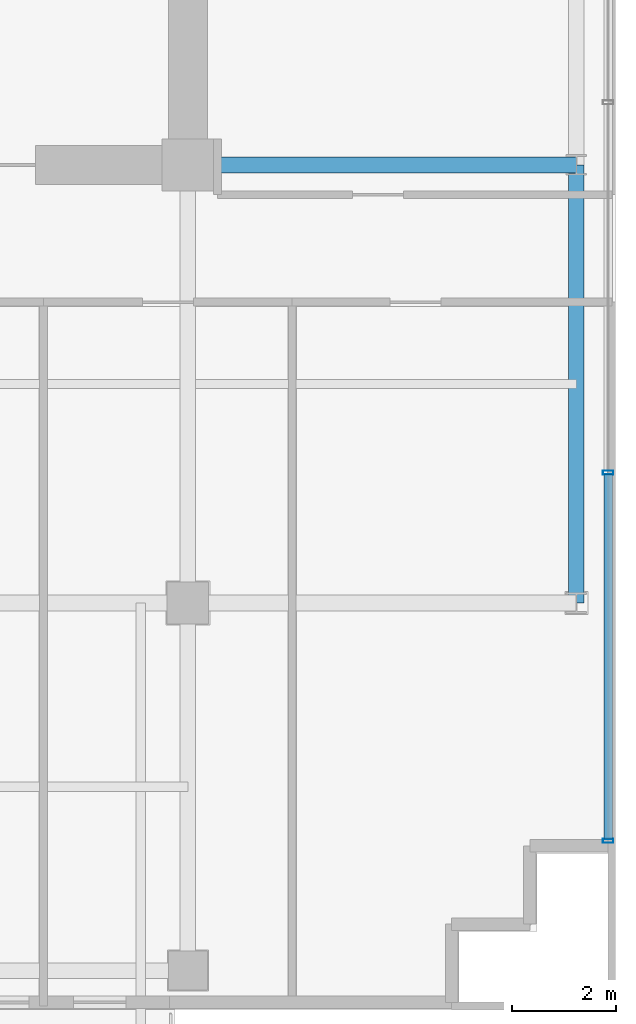
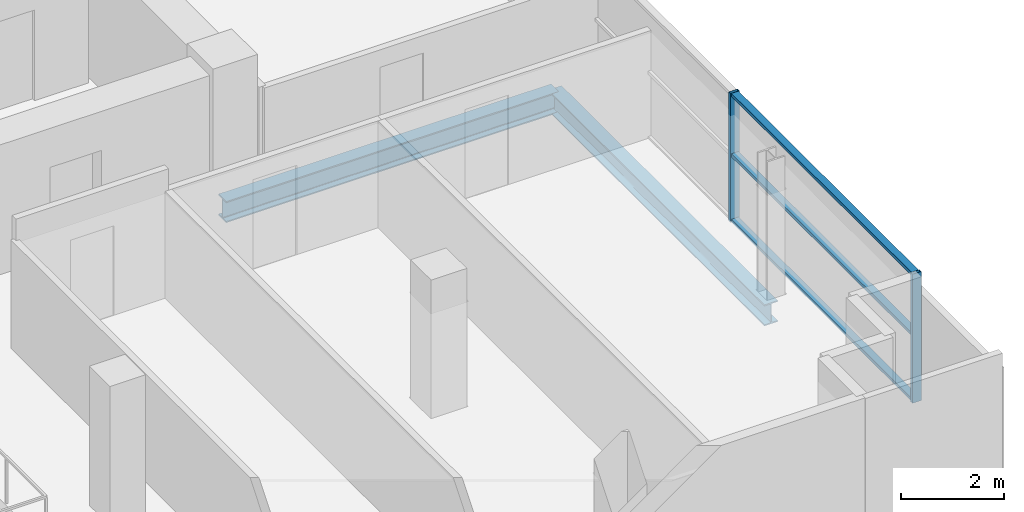
# One storey, part 6 of 21: 5 members, 2 beams, 1 element without a shape of its own.
"""IFC4 building model written with IfcOpenShell, lengths in metres."""

import ifcopenshell
import ifcopenshell.guid

model = None  # the IFC model being written
_history = None  # IfcOwnerHistory: only IFC2X3 demands one
_inside = {}  # id of a spatial element -> (the spatial element, [elements in it])
_under = {}  # id of a project, library or spatial element -> (it, [spatial elements below it])
_declared = {}  # id of a project -> (the project, [libraries it declares])
_typed = {}  # id of a type object -> (the type object, [elements of that type])
_made_of = {}  # id of a material, layer set ... -> (it, [elements and type objects made of it])


def new_model(schema):
    """Start an empty IFC model of exactly this schema.

    Asked for "IFC4X3", IfcOpenShell would pick the latest addendum, in which some entities
    have other attributes; the version numbers below select the first issue.
    IFC2X3 requires an IfcOwnerHistory on every rooted entity: one is made here for all.
    """
    global model, _history
    if schema == "IFC4X3":
        model = ifcopenshell.file(schema_version=(4, 3, 0, 0))
    else:
        model = ifcopenshell.file(schema=schema)
    _inside.clear()
    _under.clear()
    _declared.clear()
    _typed.clear()
    _made_of.clear()
    _history = None
    if model.schema == "IFC2X3":
        org = make("IfcOrganization", Name="unknown")
        user = make(
            "IfcPersonAndOrganization",
            ThePerson=make("IfcPerson", FamilyName="unknown"),
            TheOrganization=org,
        )
        app = make(
            "IfcApplication",
            ApplicationDeveloper=org,
            Version="unknown",
            ApplicationFullName="unknown",
            ApplicationIdentifier="unknown",
        )
        _history = make(
            "IfcOwnerHistory",
            OwningUser=user,
            OwningApplication=app,
            ChangeAction="ADDED",
            CreationDate=0,
        )
    return model


def make(cls, **values):
    """One entity of the class cls with the attributes given. An attribute that is None is left unset."""
    return model.create_entity(
        cls, **{name: value for name, value in values.items() if value is not None}
    )


def rooted(cls, **values):
    """An entity with a GlobalId (a new one), such as an element, a storey or a relation."""
    return make(cls, GlobalId=ifcopenshell.guid.new(), OwnerHistory=_history, **values)


def si_unit(unit_type, name, prefix=None):
    """IfcSIUnit, for example si_unit("LENGTHUNIT", "METRE", prefix="MILLI")."""
    return make("IfcSIUnit", UnitType=unit_type, Prefix=prefix, Name=name)


def assignment(units):
    """IfcUnitAssignment: the units of a project."""
    return None if units is None else make("IfcUnitAssignment", Units=units)


def point(xyz):
    """IfcCartesianPoint."""
    return None if xyz is None else make("IfcCartesianPoint", Coordinates=xyz)


def direction(xyz):
    """IfcDirection."""
    return None if xyz is None else make("IfcDirection", DirectionRatios=xyz)


def frame(location, z_axis=None, x_axis=None):
    """IfcAxis2Placement3D, a coordinate frame: its origin and axes. An axis left out is left unset."""
    return make(
        "IfcAxis2Placement3D",
        Location=point(location),
        Axis=direction(z_axis),
        RefDirection=direction(x_axis),
    )


def frame_2d(location, x_axis=None):
    """IfcAxis2Placement2D, a coordinate frame in the plane: its origin and x axis."""
    return make(
        "IfcAxis2Placement2D", Location=point(location), RefDirection=direction(x_axis)
    )


def origin():
    """The frame at (0, 0, 0) with its axes left unset."""
    return frame((0.0, 0.0, 0.0))


def origin_2d():
    """The frame at (0, 0) in the plane with its x axis left unset."""
    return frame_2d((0.0, 0.0))


def place(relative_to, where):
    """IfcLocalPlacement: puts the frame where relative to a parent placement (None: the world)."""
    return make(
        "IfcLocalPlacement", PlacementRelTo=relative_to, RelativePlacement=where
    )


def context(
    kind, dimensions, precision=None, world=None, true_north=None, identifier=None
):
    """IfcGeometricRepresentationContext, for example the 3D "Model" context."""
    return make(
        "IfcGeometricRepresentationContext",
        ContextIdentifier=identifier,
        ContextType=kind,
        CoordinateSpaceDimension=dimensions,
        Precision=precision,
        WorldCoordinateSystem=world,
        TrueNorth=true_north,
    )


def subcontext(parent, identifier, kind, view, scale=None):
    """IfcGeometricRepresentationSubContext, for example "Body" below "Model"."""
    return make(
        "IfcGeometricRepresentationSubContext",
        ContextIdentifier=identifier,
        ContextType=kind,
        ParentContext=parent,
        TargetScale=scale,
        TargetView=view,
    )


def project(units=None, contexts=None):
    """IfcProject with its units and contexts."""
    return rooted(
        "IfcProject",
        Name="project",
        RepresentationContexts=contexts,
        UnitsInContext=assignment(units),
    )


def spatial(cls, under=None, at=None, **own):
    """A site, building, storey or space (cls), placed at a placement, below another one or the project."""
    s = rooted(cls, ObjectPlacement=at, **own)
    if under is not None:
        _under.setdefault(under.id(), (under, []))[1].append(s)
    return s


def profile(cls, at=None, kind="AREA", **sizes):
    """A parametric profile (cls). Its sizes go by their IFC names, for example OverallWidth=200.0."""
    return make(cls, ProfileType=kind, Position=at, **sizes)


def hollow_rectangle(**sizes):
    """IfcRectangleHollowProfileDef."""
    return profile("IfcRectangleHollowProfileDef", **sizes)


def i_section(**sizes):
    """IfcIShapeProfileDef."""
    return profile("IfcIShapeProfileDef", **sizes)


def extrude(swept, where, along, depth):
    """IfcExtrudedAreaSolid: the profile swept, set in the frame where, extruded along a direction by depth."""
    return make(
        "IfcExtrudedAreaSolid",
        SweptArea=swept,
        Position=where,
        ExtrudedDirection=direction(along),
        Depth=depth,
    )


def shape(context_of_items, identifier, shape_type, items):
    """IfcShapeRepresentation: the items that make up one representation, for example the "Body"."""
    return make(
        "IfcShapeRepresentation",
        ContextOfItems=context_of_items,
        RepresentationIdentifier=identifier,
        RepresentationType=shape_type,
        Items=items,
    )


def source(mapping_origin, context_of_items, identifier, shape_type, items):
    """IfcRepresentationMap: a shape defined once, which mapped items show again and again."""
    return make(
        "IfcRepresentationMap",
        MappingOrigin=mapping_origin,
        MappedRepresentation=shape(context_of_items, identifier, shape_type, items),
    )


def transform(
    local_origin,
    x_axis=None,
    y_axis=None,
    z_axis=None,
    scale=None,
    scale2=None,
    scale3=None,
    uniform=True,
):
    """IfcCartesianTransformationOperator3D, or its non-uniform kind. x_axis, y_axis, z_axis: its Axis1, 2, 3."""
    if uniform:
        return make(
            "IfcCartesianTransformationOperator3D",
            Axis1=direction(x_axis),
            Axis2=direction(y_axis),
            LocalOrigin=point(local_origin),
            Scale=scale,
            Axis3=direction(z_axis),
        )
    return make(
        "IfcCartesianTransformationOperator3DnonUniform",
        Axis1=direction(x_axis),
        Axis2=direction(y_axis),
        LocalOrigin=point(local_origin),
        Scale=scale,
        Axis3=direction(z_axis),
        Scale2=scale2,
        Scale3=scale3,
    )


def mapped(mapping_source, mapping_target):
    """IfcMappedItem: shows the shape of a source again, moved by a transform."""
    return make(
        "IfcMappedItem", MappingSource=mapping_source, MappingTarget=mapping_target
    )


def material(Name=None, Category=None):
    """IfcMaterial."""
    return make("IfcMaterial", Name=Name, Category=Category)


def layer(
    of_material, thickness, ventilated=None, Name=None, Category=None, Priority=None
):
    """IfcMaterialLayer: one layer of a wall or slab, of a material (None: an air gap)."""
    return make(
        "IfcMaterialLayer",
        Material=of_material,
        LayerThickness=thickness,
        IsVentilated=ventilated,
        Name=Name,
        Category=Category,
        Priority=Priority,
    )


def layer_set(layers, Name=None):
    """IfcMaterialLayerSet."""
    return make("IfcMaterialLayerSet", MaterialLayers=layers, LayerSetName=Name)


def material_profile(
    of_material, cross_section, Name=None, Category=None, Priority=None
):
    """IfcMaterialProfile: a cross section and its material."""
    return make(
        "IfcMaterialProfile",
        Name=Name,
        Material=of_material,
        Profile=cross_section,
        Priority=Priority,
        Category=Category,
    )


def profile_set(profiles, Name=None, composite=None):
    """IfcMaterialProfileSet."""
    return make(
        "IfcMaterialProfileSet",
        Name=Name,
        MaterialProfiles=profiles,
        CompositeProfile=composite,
    )


def made_of(thing, what):
    """Note that an element or type object is made of a material, layer set ...; save() writes the relation."""
    if what is not None:
        _made_of.setdefault(what.id(), (what, []))[1].append(thing)
    return thing


def type_object(cls, material=None, **own):
    """A type object (cls), such as IfcWallType, which elements share."""
    return made_of(rooted(cls, **own), material)


def element(
    cls,
    number,
    at=None,
    inside=None,
    cuts=None,
    type_object=None,
    material=None,
    context=None,
    identifier="Body",
    shape_type=None,
    held_by="IfcProductDefinitionShape",
    body=None,
    shapes=None,
    **own,
):
    """One element of the class cls, such as IfcWall. Its Tag is "e" and its number.

    at: its placement. inside: the storey or other place that contains it. cuts: it is an
    opening in that element (IfcRelVoidsElement). A single representation is given by context,
    identifier, shape_type and body (its items); several are given by shapes. held_by: the class
    of the entity that holds the representations. save() writes the other relations.
    """
    e = rooted(cls, Tag="e%d" % number, ObjectPlacement=at, **own)
    if body is not None:
        shapes = [shape(context, identifier, shape_type, body)]
    if shapes is not None:
        e.Representation = make(held_by, Representations=shapes)
    if inside is not None:
        _inside.setdefault(inside.id(), (inside, []))[1].append(e)
    if cuts is not None:
        rooted(
            "IfcRelVoidsElement", RelatingBuildingElement=cuts, RelatedOpeningElement=e
        )
    if type_object is not None:
        _typed.setdefault(type_object.id(), (type_object, []))[1].append(e)
    return made_of(e, material)


def aggregate(whole, parts):
    """IfcRelAggregates: a whole, such as a stair, and the parts it consists of."""
    return rooted("IfcRelAggregates", RelatingObject=whole, RelatedObjects=parts)


def save(model, path):
    """Write the relations noted so far, then the file.

    IfcRelAggregates (storeys below a building ...), IfcRelContainedInSpatialStructure (elements
    in a storey), IfcRelDefinesByType, IfcRelAssociatesMaterial and IfcRelDeclares: one each for
    every whole, place, type object, material and project.
    """
    for whole, parts in _under.values():
        aggregate(whole, parts)
    for where, things in _inside.values():
        rooted(
            "IfcRelContainedInSpatialStructure",
            RelatedElements=things,
            RelatingStructure=where,
        )
    for kind, things in _typed.values():
        rooted("IfcRelDefinesByType", RelatedObjects=things, RelatingType=kind)
    for what, things in _made_of.values():
        rooted("IfcRelAssociatesMaterial", RelatedObjects=things, RelatingMaterial=what)
    for by, libraries in _declared.values():
        rooted("IfcRelDeclares", RelatingContext=by, RelatedDefinitions=libraries)
    model.write(path)


model = new_model("IFC4")

# Units and contexts
model_context = context("Model", 3, precision=1e-05, world=origin(), true_north=direction((0.0, 1.0)))
body_context = subcontext(model_context, "Body", "Model", "MODEL_VIEW")
ifc_project = project(units=[si_unit("LENGTHUNIT", "METRE"), si_unit("AREAUNIT", "SQUARE_METRE"), si_unit("VOLUMEUNIT", "CUBIC_METRE"), si_unit("PLANEANGLEUNIT", "RADIAN"), si_unit("MASSUNIT", "GRAM", prefix="KILO")], contexts=[model_context])

# Site, building, storey
site_placement = place(None, origin())
site = spatial("IfcSite", under=ifc_project, at=site_placement, CompositionType="ELEMENT")
building_placement = place(site_placement, origin())
building = spatial("IfcBuilding", under=site, at=building_placement, Name="Zarnakvel Exchange Tower", CompositionType="ELEMENT")
storey_placement = place(building_placement, frame((0.0, 0.0, 159.39990234375)))
storey = spatial("IfcBuildingStorey", under=building, at=storey_placement, Name="L44", CompositionType="ELEMENT", Elevation=159.39990234375)

# Beams
ifc_material_1 = material(Name="Steel S355", Category="steel")
ifc_material_profile_1 = material_profile(ifc_material_1, i_section(OverallWidth=0.300048828125, OverallDepth=0.5, WebThickness=0.014404296875, FlangeThickness=0.028076171875, FilletRadius=0.027099609375, at=origin_2d()))
ifc_profile_set_1 = profile_set([ifc_material_profile_1], Name="Steel S355")
beam_type_1 = type_object("IfcBeamType", Name="G-06", PredefinedType="BEAM", material=ifc_profile_set_1)
beam_1_placement = place(storey_placement, frame((14.39990234375, -1.199951171875, -0.474853515625), z_axis=(1.0, 0.0, 0.0), x_axis=(0.0, 1.0, 0.0)))
element("IfcBeam", 1, at=beam_1_placement, inside=storey, type_object=beam_type_1, Name="L44 Tower E-W Frame Beam", PredefinedType="BEAM", context=body_context, shape_type="SweptSolid", body=[
    extrude(i_section(OverallWidth=0.300048828125, OverallDepth=0.5, WebThickness=0.014404296875, FlangeThickness=0.028076171875, FilletRadius=0.027099609375, at=origin_2d()), origin(), (0.0, 0.0, 1.0), 7.4501953125),
])
ifc_material_profile_2 = material_profile(ifc_material_1, i_section(OverallWidth=0.300048828125, OverallDepth=0.5, WebThickness=0.014404296875, FlangeThickness=0.028076171875, FilletRadius=0.027099609375, at=origin_2d()))
ifc_profile_set_2 = profile_set([ifc_material_profile_2], Name="Steel S355")
beam_type_2 = type_object("IfcBeamType", Name="SP-02", PredefinedType="SPANDREL", material=ifc_profile_set_2)
beam_2_placement = place(storey_placement, frame((21.85009765625, -9.60009765625, -0.474853515625), z_axis=(0.0, 1.0, 0.0), x_axis=(-1.0, 0.0, 0.0)))
element("IfcBeam", 2, at=beam_2_placement, inside=storey, type_object=beam_type_2, Name="L44 Tower N-S Frame Beam", PredefinedType="SPANDREL", context=body_context, shape_type="SweptSolid", body=[
    extrude(i_section(OverallWidth=0.300048828125, OverallDepth=0.5, WebThickness=0.014404296875, FlangeThickness=0.028076171875, FilletRadius=0.027099609375, at=origin_2d()), origin(), (0.0, 0.0, 1.0), 8.400146484375),
])

# Curtain wall, members
ifc_material_2 = material(Name="Architectural Bronze Anodised Aluminium", Category="aluminium")
ifc_layer = layer(ifc_material_2, 0.199951171875)
ifc_layer_set = layer_set([ifc_layer], Name="Architectural Bronze Anodised Aluminium")
curtain_wall_type = type_object("IfcCurtainWallType", Name="CW-04", PredefinedType="NOTDEFINED", material=ifc_layer_set)
curtain_wall_placement = place(storey_placement, origin())
curtain_wall = element("IfcCurtainWall", 3, at=curtain_wall_placement, inside=storey, type_object=curtain_wall_type, Name="L44 Curtain Wall CW-L44-E1 (CW-04)", PredefinedType="NOTDEFINED")
ifc_material_profile_3 = material_profile(ifc_material_2, hollow_rectangle(XDim=0.199951171875, YDim=0.074951171875, WallThickness=0.0048828125, at=origin_2d()))
ifc_profile_set_3 = profile_set([ifc_material_profile_3], Name="Architectural Bronze Anodised Aluminium")
member_type_1 = type_object("IfcMemberType", Name="CWM-04", PredefinedType="MULLION", material=ifc_profile_set_3)
shared_shape_1 = source(origin(), body_context, "Body", "SweptSolid", [
    extrude(hollow_rectangle(XDim=0.199951171875, YDim=0.074951171875, WallThickness=0.0048828125, at=origin_2d()), origin(), (0.0, 0.0, 1.0), 3.05517578125),
])
member_1_placement = place(storey_placement, frame((22.4599609375, -14.16259765625, 0.0), z_axis=(0.0, 0.0, 1.0), x_axis=(-1.0, 0.0, 0.0)))
member_1 = element("IfcMember", 4, at=member_1_placement, type_object=member_type_1, Name="CW-04 mullion 1", PredefinedType="MULLION", context=body_context, shape_type="MappedRepresentation", body=[
    mapped(shared_shape_1, transform((0.0, 0.0, 0.0), x_axis=(1.0, 0.0, 0.0), y_axis=(0.0, 1.0, 0.0), z_axis=(0.0, 0.0, 1.0), scale=1.0)),
])
member_2_placement = place(storey_placement, frame((22.4599609375, -7.10009765625, 0.0), z_axis=(0.0, 0.0, 1.0), x_axis=(-1.0, 0.0, 0.0)))
member_2 = element("IfcMember", 5, at=member_2_placement, type_object=member_type_1, Name="CW-04 mullion 2", PredefinedType="MULLION", context=body_context, shape_type="MappedRepresentation", body=[
    mapped(shared_shape_1, transform((0.0, 0.0, 0.0), x_axis=(1.0, 0.0, 0.0), y_axis=(0.0, 1.0, 0.0), z_axis=(0.0, 0.0, 1.0), scale=1.0)),
])
ifc_material_profile_4 = material_profile(ifc_material_2, hollow_rectangle(XDim=0.159912109375, YDim=0.074951171875, WallThickness=0.00390625, at=origin_2d()))
ifc_profile_set_4 = profile_set([ifc_material_profile_4], Name="Architectural Bronze Anodised Aluminium")
member_type_2 = type_object("IfcMemberType", Name="CWT-04", PredefinedType="USERDEFINED", material=ifc_profile_set_4)
shared_shape_2 = source(origin(), body_context, "Body", "SweptSolid", [
    extrude(hollow_rectangle(XDim=0.159912109375, YDim=0.074951171875, WallThickness=0.00390625, at=origin_2d()), origin(), (0.0, 0.0, 1.0), 6.987548828125),
])
member_3_placement = place(storey_placement, frame((22.4599609375, -14.125, 0.03759765625), z_axis=(0.0, 1.0, 0.0), x_axis=(-1.0, 0.0, 0.0)))
member_3 = element("IfcMember", 6, at=member_3_placement, type_object=member_type_2, Name="CW-04 transom 1.1", ObjectType="TRANSOM", PredefinedType="USERDEFINED", context=body_context, shape_type="MappedRepresentation", body=[
    mapped(shared_shape_2, transform((0.0, 0.0, 0.0), x_axis=(1.0, 0.0, 0.0), y_axis=(0.0, 1.0, 0.0), z_axis=(0.0, 0.0, 1.0), scale=1.0)),
])
member_4_placement = place(storey_placement, frame((22.4599609375, -14.125, 1.588623046875), z_axis=(0.0, 1.0, 0.0), x_axis=(-1.0, 0.0, 0.0)))
member_4 = element("IfcMember", 7, at=member_4_placement, type_object=member_type_2, Name="CW-04 transom 1.2", ObjectType="TRANSOM", PredefinedType="USERDEFINED", context=body_context, shape_type="MappedRepresentation", body=[
    mapped(shared_shape_2, transform((0.0, 0.0, 0.0), x_axis=(1.0, 0.0, 0.0), y_axis=(0.0, 1.0, 0.0), z_axis=(0.0, 0.0, 1.0), scale=1.0)),
])
member_5_placement = place(storey_placement, frame((22.4599609375, -14.125, 3.017578125), z_axis=(0.0, 1.0, 0.0), x_axis=(-1.0, 0.0, 0.0)))
member_5 = element("IfcMember", 8, at=member_5_placement, type_object=member_type_2, Name="CW-04 transom 1.3", ObjectType="TRANSOM", PredefinedType="USERDEFINED", context=body_context, shape_type="MappedRepresentation", body=[
    mapped(shared_shape_2, transform((0.0, 0.0, 0.0), x_axis=(1.0, 0.0, 0.0), y_axis=(0.0, 1.0, 0.0), z_axis=(0.0, 0.0, 1.0), scale=1.0)),
])
aggregate(curtain_wall, [member_1, member_2, member_3, member_4, member_5])

save(model, "model.ifc")
